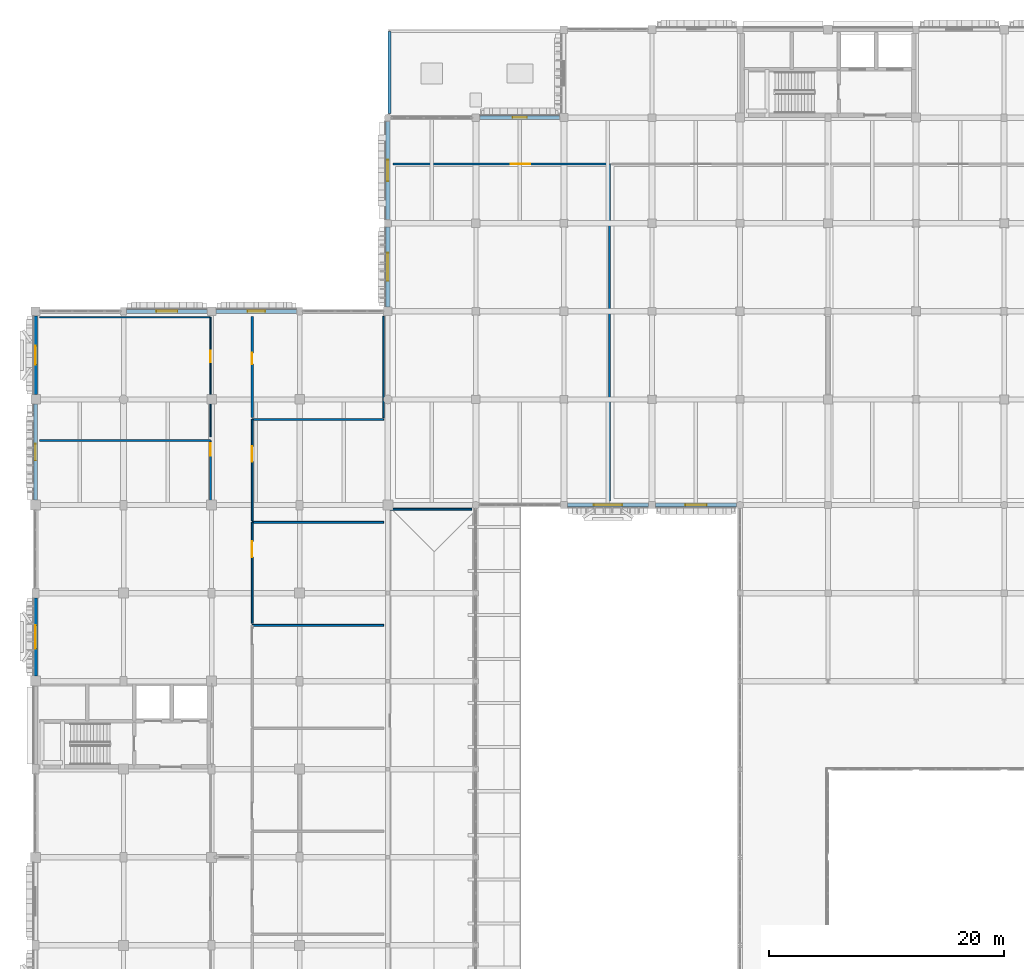
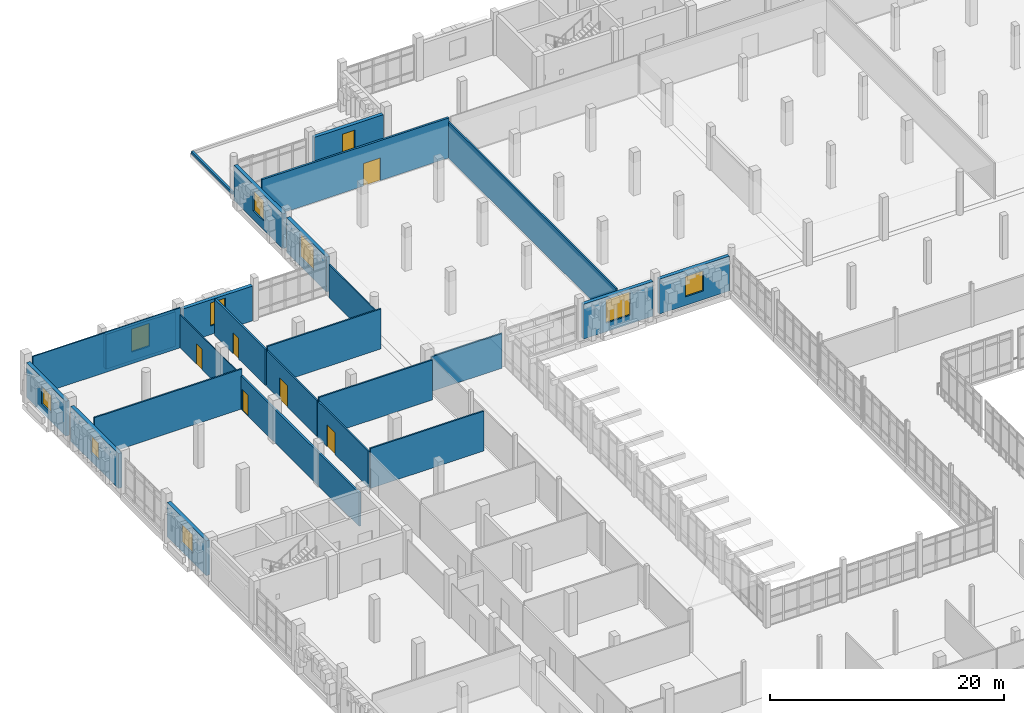
# One storey, part 100 of 128: 25 walls, 10 windows, 6 doors, 16 openings.
"""IFC4 building model written with IfcOpenShell, lengths in metres."""

from ifc_helpers import new_model, si_unit, direction, frame, frame_2d, origin, place, context, subcontext, project, spatial, rectangle, extrude, material, layer, layer_set, type_object, element, fill, save


model = new_model("IFC4")

# Units and contexts
model_context = context("Model", 3, precision=1e-05, world=origin(), true_north=direction((0.0, 1.0)))
body_context = subcontext(model_context, "Body", "Model", "MODEL_VIEW")
ifc_project = project(units=[si_unit("LENGTHUNIT", "METRE"), si_unit("AREAUNIT", "SQUARE_METRE"), si_unit("VOLUMEUNIT", "CUBIC_METRE"), si_unit("PLANEANGLEUNIT", "RADIAN"), si_unit("MASSUNIT", "GRAM", prefix="KILO")], contexts=[model_context])

# Site, building, storey
site_placement = place(None, origin())
site = spatial("IfcSite", under=ifc_project, at=site_placement, CompositionType="ELEMENT")
building_placement = place(site_placement, origin())
building = spatial("IfcBuilding", under=site, at=building_placement, Name="Dalvernix Boulevard General Hospital", CompositionType="ELEMENT")
storey_placement = place(building_placement, frame((0.0, 0.0, 4.800048828125)))
storey = spatial("IfcBuildingStorey", under=building, at=storey_placement, Name="L01", CompositionType="ELEMENT", Elevation=4.800048828125)

# Wall, opening, window
ifc_material_1 = material(Name="Pressed Catalan clay brick and insulated concrete cavity wall C35/45", Category="masonry")
ifc_layer_1 = layer(ifc_material_1, 0.35009765625)
ifc_layer_set_1 = layer_set([ifc_layer_1], Name="Pressed Catalan clay brick and insulated concrete cavity wall C35/45 (WAL-EW-01)")
wall_type_1 = type_object("IfcWallType", Name="WAL-EW-01", PredefinedType="STANDARD", material=ifc_layer_set_1)
wall_1_placement = place(storey_placement, frame((0.0, 61.93505859375, 0.0), z_axis=(0.0, 0.0, 1.0), x_axis=(0.0, 1.0, 0.0)))
wall_1 = element("IfcWall", 1, at=wall_1_placement, inside=storey, type_object=wall_type_1, Name="L01 Catalan brick external wall W 0-8", PredefinedType="STANDARD", context=body_context, shape_type="SweptSolid", body=[
    extrude(rectangle(XDim=6.655029296875, YDim=0.35009765625, at=frame_2d((3.32763671875, 0.0))), origin(), (0.0, 0.0, 1.0), 3.6298828125),
])
opening_1_placement = place(wall_1_placement, frame((2.327392578125, 0.0, 0.89990234375)))
opening_1 = element("IfcOpeningElement", 2, at=opening_1_placement, cuts=wall_1, Name="Opening WN-12", PredefinedType="OPENING", context=body_context, shape_type="SweptSolid", body=[
    extrude(rectangle(XDim=2.0, YDim=1.949951171875, at=frame_2d((1.0, 0.97509765625))), frame((0.0, 0.18505859375, 0.0), z_axis=(0.0, -1.0, 0.0), x_axis=(1.0, 0.0, 0.0)), (0.0, 0.0, 1.0), 0.3701171875),
])
ifc_material_2 = material(Name="Thermally broken aluminium frame with solar-control double glazing", Category="aluminium")
window_type_1 = type_object("IfcWindowType", Name="WIN-WN-12", PartitioningType="SINGLE_PANEL", PredefinedType="WINDOW", material=ifc_material_2)
window_1_placement = place(opening_1_placement, origin())
window_1 = element("IfcWindow", 3, at=window_1_placement, inside=storey, type_object=window_type_1, Name="L01 clinical window WN-12 W 0-8", OverallHeight=1.949951171875, OverallWidth=2.0, PartitioningType="SINGLE_PANEL", PredefinedType="WINDOW", context=body_context, shape_type="SweptSolid", body=[
    extrude(rectangle(XDim=2.0, YDim=1.949951171875, at=frame_2d((1.0, 0.97509765625))), frame((0.0, 0.030029296875, 0.0), z_axis=(0.0, -1.0, 0.0), x_axis=(1.0, 0.0, 0.0)), (0.0, 0.0, 1.0), 0.06005859375),
])
fill(opening_1, window_1)

wall_2_placement = place(storey_placement, frame((0.0, 76.93505859375, 0.0), z_axis=(0.0, 0.0, 1.0), x_axis=(0.0, 1.0, 0.0)))
wall_2 = element("IfcWall", 4, at=wall_2_placement, inside=storey, type_object=wall_type_1, Name="L01 Catalan brick external wall W 0-10", PredefinedType="STANDARD", context=body_context, shape_type="SweptSolid", body=[
    extrude(rectangle(XDim=8.155029296875, YDim=0.35009765625, at=frame_2d((4.07763671875, 0.0))), origin(), (0.0, 0.0, 1.0), 3.6298828125),
])
opening_2_placement = place(wall_2_placement, frame((3.37744140625, 0.0, 0.89990234375)))
opening_2 = element("IfcOpeningElement", 5, at=opening_2_placement, cuts=wall_2, Name="Opening WN-14", PredefinedType="OPENING", context=body_context, shape_type="SweptSolid", body=[
    extrude(rectangle(XDim=1.39990234375, YDim=1.800048828125, at=frame_2d((0.699951171875, 0.89990234375))), frame((0.0, 0.18505859375, 0.0), z_axis=(0.0, -1.0, 0.0), x_axis=(1.0, 0.0, 0.0)), (0.0, 0.0, 1.0), 0.3701171875),
])
window_type_2 = type_object("IfcWindowType", Name="WIN-WN-14", PartitioningType="SINGLE_PANEL", PredefinedType="WINDOW", material=ifc_material_2)
window_2_placement = place(opening_2_placement, origin())
window_2 = element("IfcWindow", 6, at=window_2_placement, inside=storey, type_object=window_type_2, Name="L01 clinical window WN-14 W 0-10", OverallHeight=1.800048828125, OverallWidth=1.39990234375, PartitioningType="SINGLE_PANEL", PredefinedType="WINDOW", context=body_context, shape_type="SweptSolid", body=[
    extrude(rectangle(XDim=1.39990234375, YDim=1.800048828125, at=frame_2d((0.699951171875, 0.89990234375))), frame((0.0, 0.030029296875, 0.0), z_axis=(0.0, -1.0, 0.0), x_axis=(1.0, 0.0, 0.0)), (0.0, 0.0, 1.0), 0.06005859375),
])
fill(opening_2, window_2)

wall_3_placement = place(storey_placement, frame((0.0, 85.909912109375, 0.0), z_axis=(0.0, 0.0, 1.0), x_axis=(0.0, 1.0, 0.0)))
wall_3 = element("IfcWall", 7, at=wall_3_placement, inside=storey, type_object=wall_type_1, Name="L01 Catalan brick external wall W 0-11", PredefinedType="STANDARD", context=body_context, shape_type="SweptSolid", body=[
    extrude(rectangle(XDim=6.705078125, YDim=0.35009765625, at=frame_2d((3.3525390625, 0.0))), origin(), (0.0, 0.0, 1.0), 3.6298828125),
])
opening_3_placement = place(wall_3_placement, frame((2.552490234375, 0.0, 0.89990234375)))
opening_3 = element("IfcOpeningElement", 8, at=opening_3_placement, cuts=wall_3, Name="Opening WN-15", PredefinedType="OPENING", context=body_context, shape_type="SweptSolid", body=[
    extrude(rectangle(XDim=1.60009765625, YDim=1.800048828125, at=frame_2d((0.800048828125, 0.89990234375))), frame((0.0, 0.18505859375, 0.0), z_axis=(0.0, -1.0, 0.0), x_axis=(1.0, 0.0, 0.0)), (0.0, 0.0, 1.0), 0.3701171875),
])
window_type_3 = type_object("IfcWindowType", Name="WIN-WN-15", PartitioningType="SINGLE_PANEL", PredefinedType="WINDOW", material=ifc_material_2)
window_3_placement = place(opening_3_placement, origin())
window_3 = element("IfcWindow", 9, at=window_3_placement, inside=storey, type_object=window_type_3, Name="L01 clinical window WN-15 W 0-11", OverallHeight=1.800048828125, OverallWidth=1.60009765625, PartitioningType="SINGLE_PANEL", PredefinedType="WINDOW", context=body_context, shape_type="SweptSolid", body=[
    extrude(rectangle(XDim=1.60009765625, YDim=1.800048828125, at=frame_2d((0.800048828125, 0.89990234375))), frame((0.0, 0.030029296875, 0.0), z_axis=(0.0, -1.0, 0.0), x_axis=(1.0, 0.0, 0.0)), (0.0, 0.0, 1.0), 0.06005859375),
])
fill(opening_3, window_3)

wall_4_placement = place(storey_placement, frame((7.760009765625, 93.0, 0.0), z_axis=(0.0, 0.0, 1.0), x_axis=(1.0, 0.0, 0.0)))
wall_4 = element("IfcWall", 10, at=wall_4_placement, inside=storey, type_object=wall_type_1, Name="L01 Catalan brick external wall N 1-12", PredefinedType="STANDARD", context=body_context, shape_type="SweptSolid", body=[
    extrude(rectangle(XDim=6.85498046875, YDim=0.35009765625, at=frame_2d((3.427490234375, 0.0))), origin(), (0.0, 0.0, 1.0), 3.6298828125),
])
opening_4_placement = place(wall_4_placement, frame((2.527587890625, 0.0, 0.89990234375)))
opening_4 = element("IfcOpeningElement", 11, at=opening_4_placement, cuts=wall_4, Name="Opening WN-01", PredefinedType="OPENING", context=body_context, shape_type="SweptSolid", body=[
    extrude(rectangle(XDim=1.800048828125, YDim=2.39990234375, at=frame_2d((0.89990234375, 1.199951171875))), frame((0.0, 0.18505859375, 0.0), z_axis=(0.0, -1.0, 0.0), x_axis=(1.0, 0.0, 0.0)), (0.0, 0.0, 1.0), 0.3701171875),
])
window_type_4 = type_object("IfcWindowType", Name="WIN-WN-01", PartitioningType="SINGLE_PANEL", PredefinedType="WINDOW", material=ifc_material_2)
window_4_placement = place(opening_4_placement, origin())
window_4 = element("IfcWindow", 12, at=window_4_placement, inside=storey, type_object=window_type_4, Name="L01 clinical window WN-01 N 1-12", OverallHeight=2.39990234375, OverallWidth=1.800048828125, PartitioningType="SINGLE_PANEL", PredefinedType="WINDOW", context=body_context, shape_type="SweptSolid", body=[
    extrude(rectangle(XDim=1.800048828125, YDim=2.39990234375, at=frame_2d((0.89990234375, 1.199951171875))), frame((0.0, 0.030029296875, 0.0), z_axis=(0.0, -1.0, 0.0), x_axis=(1.0, 0.0, 0.0)), (0.0, 0.0, 1.0), 0.06005859375),
])
fill(opening_4, window_4)

wall_5_placement = place(storey_placement, frame((15.385009765625, 93.0, 0.0), z_axis=(0.0, 0.0, 1.0), x_axis=(1.0, 0.0, 0.0)))
wall_5 = element("IfcWall", 13, at=wall_5_placement, inside=storey, type_object=wall_type_1, Name="L01 Catalan brick external wall N 2-12", PredefinedType="STANDARD", context=body_context, shape_type="SweptSolid", body=[
    extrude(rectangle(XDim=6.85498046875, YDim=0.35009765625, at=frame_2d((3.427490234375, 0.0))), origin(), (0.0, 0.0, 1.0), 3.6298828125),
])
opening_5_placement = place(wall_5_placement, frame((2.677490234375, 0.0, 0.89990234375)))
opening_5 = element("IfcOpeningElement", 14, at=opening_5_placement, cuts=wall_5, Name="Opening WN-02", PredefinedType="OPENING", context=body_context, shape_type="SweptSolid", body=[
    extrude(rectangle(XDim=1.5, YDim=2.39990234375, at=frame_2d((0.75, 1.199951171875))), frame((0.0, 0.18505859375, 0.0), z_axis=(0.0, -1.0, 0.0), x_axis=(1.0, 0.0, 0.0)), (0.0, 0.0, 1.0), 0.3701171875),
])
window_type_5 = type_object("IfcWindowType", Name="WIN-WN-02", PartitioningType="SINGLE_PANEL", PredefinedType="WINDOW", material=ifc_material_2)
window_5_placement = place(opening_5_placement, origin())
window_5 = element("IfcWindow", 15, at=window_5_placement, inside=storey, type_object=window_type_5, Name="L01 clinical window WN-02 N 2-12", OverallHeight=2.39990234375, OverallWidth=1.5, PartitioningType="SINGLE_PANEL", PredefinedType="WINDOW", context=body_context, shape_type="SweptSolid", body=[
    extrude(rectangle(XDim=1.5, YDim=2.39990234375, at=frame_2d((0.75, 1.199951171875))), frame((0.0, 0.030029296875, 0.0), z_axis=(0.0, -1.0, 0.0), x_axis=(1.0, 0.0, 0.0)), (0.0, 0.0, 1.0), 0.06005859375),
])
fill(opening_5, window_5)

wall_6_placement = place(storey_placement, frame((30.0, 93.385009765625, 0.0), z_axis=(0.0, 0.0, 1.0), x_axis=(0.0, 1.0, 0.0)))
wall_6 = element("IfcWall", 16, at=wall_6_placement, inside=storey, type_object=wall_type_1, Name="L01 Catalan brick external wall W 4-12", PredefinedType="STANDARD", context=body_context, shape_type="SweptSolid", body=[
    extrude(rectangle(XDim=6.804931640625, YDim=0.35009765625, at=frame_2d((3.40234375, 0.0))), origin(), (0.0, 0.0, 1.0), 3.6298828125),
])
opening_6_placement = place(wall_6_placement, frame((2.202392578125, 0.0, 0.89990234375)))
opening_6 = element("IfcOpeningElement", 17, at=opening_6_placement, cuts=wall_6, Name="Opening WN-04", PredefinedType="OPENING", context=body_context, shape_type="SweptSolid", body=[
    extrude(rectangle(XDim=2.39990234375, YDim=2.449951171875, at=frame_2d((1.199951171875, 1.22509765625))), frame((0.0, 0.18505859375, 0.0), z_axis=(0.0, -1.0, 0.0), x_axis=(1.0, 0.0, 0.0)), (0.0, 0.0, 1.0), 0.3701171875),
])
window_type_6 = type_object("IfcWindowType", Name="WIN-WN-04", PartitioningType="SINGLE_PANEL", PredefinedType="WINDOW", material=ifc_material_2)
window_6_placement = place(opening_6_placement, origin())
window_6 = element("IfcWindow", 18, at=window_6_placement, inside=storey, type_object=window_type_6, Name="L01 clinical window WN-04 W 4-12", OverallHeight=2.449951171875, OverallWidth=2.39990234375, PartitioningType="SINGLE_PANEL", PredefinedType="WINDOW", context=body_context, shape_type="SweptSolid", body=[
    extrude(rectangle(XDim=2.39990234375, YDim=2.449951171875, at=frame_2d((1.199951171875, 1.22509765625))), frame((0.0, 0.030029296875, 0.0), z_axis=(0.0, -1.0, 0.0), x_axis=(1.0, 0.0, 0.0)), (0.0, 0.0, 1.0), 0.06005859375),
])
fill(opening_6, window_6)

wall_7_placement = place(storey_placement, frame((30.0, 100.81005859375, 0.0), z_axis=(0.0, 0.0, 1.0), x_axis=(0.0, 1.0, 0.0)))
wall_7 = element("IfcWall", 19, at=wall_7_placement, inside=storey, type_object=wall_type_1, Name="L01 Catalan brick external wall W 4-13", PredefinedType="STANDARD", context=body_context, shape_type="SweptSolid", body=[
    extrude(rectangle(XDim=8.3798828125, YDim=0.35009765625, at=frame_2d((4.18994140625, 0.0))), origin(), (0.0, 0.0, 1.0), 3.6298828125),
])
opening_7_placement = place(wall_7_placement, frame((3.2900390625, 0.0, 0.89990234375)))
opening_7 = element("IfcOpeningElement", 20, at=opening_7_placement, cuts=wall_7, Name="Opening WN-05", PredefinedType="OPENING", context=body_context, shape_type="SweptSolid", body=[
    extrude(rectangle(XDim=1.800048828125, YDim=2.10009765625, at=frame_2d((0.89990234375, 1.050048828125))), frame((0.0, 0.18505859375, 0.0), z_axis=(0.0, -1.0, 0.0), x_axis=(1.0, 0.0, 0.0)), (0.0, 0.0, 1.0), 0.3701171875),
])
window_type_7 = type_object("IfcWindowType", Name="WIN-WN-05", PartitioningType="SINGLE_PANEL", PredefinedType="WINDOW", material=ifc_material_2)
window_7_placement = place(opening_7_placement, origin())
window_7 = element("IfcWindow", 21, at=window_7_placement, inside=storey, type_object=window_type_7, Name="L01 clinical window WN-05 W 4-13", OverallHeight=2.10009765625, OverallWidth=1.800048828125, PartitioningType="SINGLE_PANEL", PredefinedType="WINDOW", context=body_context, shape_type="SweptSolid", body=[
    extrude(rectangle(XDim=1.800048828125, YDim=2.10009765625, at=frame_2d((0.89990234375, 1.050048828125))), frame((0.0, 0.030029296875, 0.0), z_axis=(0.0, -1.0, 0.0), x_axis=(1.0, 0.0, 0.0)), (0.0, 0.0, 1.0), 0.06005859375),
])
fill(opening_7, window_7)

wall_8_placement = place(storey_placement, frame((37.8349609375, 109.5, 0.0), z_axis=(0.0, 0.0, 1.0), x_axis=(1.0, 0.0, 0.0)))
wall_8 = element("IfcWall", 22, at=wall_8_placement, inside=storey, type_object=wall_type_1, Name="L01 Catalan brick external wall N 5-14", PredefinedType="STANDARD", context=body_context, shape_type="SweptSolid", body=[
    extrude(rectangle(XDim=6.804931640625, YDim=0.35009765625, at=frame_2d((3.40234375, 0.0))), origin(), (0.0, 0.0, 1.0), 3.6298828125),
])
opening_8_placement = place(wall_8_placement, frame((2.802490234375, 0.0, 0.89990234375)))
opening_8 = element("IfcOpeningElement", 23, at=opening_8_placement, cuts=wall_8, Name="Opening WN-07", PredefinedType="OPENING", context=body_context, shape_type="SweptSolid", body=[
    extrude(rectangle(XDim=1.199951171875, YDim=2.10009765625, at=frame_2d((0.60009765625, 1.050048828125))), frame((0.0, 0.18505859375, 0.0), z_axis=(0.0, -1.0, 0.0), x_axis=(1.0, 0.0, 0.0)), (0.0, 0.0, 1.0), 0.3701171875),
])
window_type_8 = type_object("IfcWindowType", Name="WIN-WN-07", PartitioningType="SINGLE_PANEL", PredefinedType="WINDOW", material=ifc_material_2)
window_8_placement = place(opening_8_placement, origin())
window_8 = element("IfcWindow", 24, at=window_8_placement, inside=storey, type_object=window_type_8, Name="L01 clinical window WN-07 N 5-14", OverallHeight=2.10009765625, OverallWidth=1.199951171875, PartitioningType="SINGLE_PANEL", PredefinedType="WINDOW", context=body_context, shape_type="SweptSolid", body=[
    extrude(rectangle(XDim=1.199951171875, YDim=2.10009765625, at=frame_2d((0.60009765625, 1.050048828125))), frame((0.0, 0.030029296875, 0.0), z_axis=(0.0, -1.0, 0.0), x_axis=(1.0, 0.0, 0.0)), (0.0, 0.0, 1.0), 0.06005859375),
])
fill(opening_8, window_8)

wall_9_placement = place(storey_placement, frame((52.18994140625, 76.5, 0.0), z_axis=(0.0, 0.0, 1.0), x_axis=(-1.0, 0.0, 0.0)))
wall_9 = element("IfcWall", 25, at=wall_9_placement, inside=storey, type_object=wall_type_1, Name="L01 Catalan brick external wall S 6-10", PredefinedType="STANDARD", context=body_context, shape_type="SweptSolid", body=[
    extrude(rectangle(XDim=6.8798828125, YDim=0.35009765625, at=frame_2d((3.43994140625, 0.0))), origin(), (0.0, 0.0, 1.0), 3.6298828125),
])
opening_9_placement = place(wall_9_placement, frame((2.239990234375, 0.0, 0.89990234375)))
opening_9 = element("IfcOpeningElement", 26, at=opening_9_placement, cuts=wall_9, Name="Opening WN-04", PredefinedType="OPENING", context=body_context, shape_type="SweptSolid", body=[
    extrude(rectangle(XDim=2.39990234375, YDim=2.449951171875, at=frame_2d((1.199951171875, 1.22509765625))), frame((0.0, 0.18505859375, 0.0), z_axis=(0.0, -1.0, 0.0), x_axis=(1.0, 0.0, 0.0)), (0.0, 0.0, 1.0), 0.3701171875),
])
window_9_placement = place(opening_9_placement, origin())
window_9 = element("IfcWindow", 27, at=window_9_placement, inside=storey, type_object=window_type_6, Name="L01 clinical window WN-04 S 6-10", OverallHeight=2.449951171875, OverallWidth=2.39990234375, PartitioningType="SINGLE_PANEL", PredefinedType="WINDOW", context=body_context, shape_type="SweptSolid", body=[
    extrude(rectangle(XDim=2.39990234375, YDim=2.449951171875, at=frame_2d((1.199951171875, 1.22509765625))), frame((0.0, 0.030029296875, 0.0), z_axis=(0.0, -1.0, 0.0), x_axis=(1.0, 0.0, 0.0)), (0.0, 0.0, 1.0), 0.06005859375),
])
fill(opening_9, window_9)

wall_10_placement = place(storey_placement, frame((59.68994140625, 76.5, 0.0), z_axis=(0.0, 0.0, 1.0), x_axis=(-1.0, 0.0, 0.0)))
wall_10 = element("IfcWall", 28, at=wall_10_placement, inside=storey, type_object=wall_type_1, Name="L01 Catalan brick external wall S 7-10", PredefinedType="STANDARD", context=body_context, shape_type="SweptSolid", body=[
    extrude(rectangle(XDim=6.8798828125, YDim=0.35009765625, at=frame_2d((3.43994140625, 0.0))), origin(), (0.0, 0.0, 1.0), 3.6298828125),
])
opening_10_placement = place(wall_10_placement, frame((2.5400390625, 0.0, 0.89990234375)))
opening_10 = element("IfcOpeningElement", 29, at=opening_10_placement, cuts=wall_10, Name="Opening WN-05", PredefinedType="OPENING", context=body_context, shape_type="SweptSolid", body=[
    extrude(rectangle(XDim=1.800048828125, YDim=2.10009765625, at=frame_2d((0.89990234375, 1.050048828125))), frame((0.0, 0.18505859375, 0.0), z_axis=(0.0, -1.0, 0.0), x_axis=(1.0, 0.0, 0.0)), (0.0, 0.0, 1.0), 0.3701171875),
])
window_10_placement = place(opening_10_placement, origin())
window_10 = element("IfcWindow", 30, at=window_10_placement, inside=storey, type_object=window_type_7, Name="L01 clinical window WN-05 S 7-10", OverallHeight=2.10009765625, OverallWidth=1.800048828125, PartitioningType="SINGLE_PANEL", PredefinedType="WINDOW", context=body_context, shape_type="SweptSolid", body=[
    extrude(rectangle(XDim=1.800048828125, YDim=2.10009765625, at=frame_2d((0.89990234375, 1.050048828125))), frame((0.0, 0.030029296875, 0.0), z_axis=(0.0, -1.0, 0.0), x_axis=(1.0, 0.0, 0.0)), (0.0, 0.0, 1.0), 0.06005859375),
])
fill(opening_10, window_10)

# Wall, opening, door
ifc_material_3 = material(Name="Fire-compartment corridor masonry wall", Category="masonry")
ifc_layer_2 = layer(ifc_material_3, 0.199951171875)
ifc_layer_set_2 = layer_set([ifc_layer_2], Name="Fire-compartment corridor masonry wall (WAL-IW-02)")
wall_type_2 = type_object("IfcWallType", Name="WAL-IW-02", PredefinedType="STANDARD", material=ifc_layer_set_2)
wall_11_placement = place(storey_placement, frame((14.89990234375, 61.800048828125, 0.0), z_axis=(0.0, 0.0, 1.0), x_axis=(0.0, 1.0, 0.0)))
wall_11 = element("IfcWall", 31, at=wall_11_placement, inside=storey, type_object=wall_type_2, Name="L01 Physical Therapy and Rehabilitation Gym corridor wall", PredefinedType="STANDARD", context=body_context, shape_type="SweptSolid", body=[
    extrude(rectangle(XDim=20.199951171875, YDim=0.199951171875, at=frame_2d((10.10009765625, 0.0))), origin(), (0.0, 0.0, 1.0), 3.46484375),
])
opening_11_placement = place(wall_11_placement, frame((18.89990234375, 0.0, 0.0)))
opening_11 = element("IfcOpeningElement", 32, at=opening_11_placement, cuts=wall_11, Name="Opening ID-07", PredefinedType="OPENING", context=body_context, shape_type="SweptSolid", body=[
    extrude(rectangle(XDim=1.050048828125, YDim=2.199951171875, at=frame_2d((0.52490234375, 1.10009765625))), frame((0.0, 0.10986328125, 0.0), z_axis=(0.0, -1.0, 0.0), x_axis=(1.0, 0.0, 0.0)), (0.0, 0.0, 1.0), 0.219970703125),
])
ifc_material_4 = material(Name="Hospital laminate acoustic timber and steel frame", Category="steel")
door_type_1 = type_object("IfcDoorType", Name="DR-ID-07", OperationType="NOTDEFINED", PredefinedType="DOOR", material=ifc_material_4)
door_1_placement = place(opening_11_placement, origin())
door_1 = element("IfcDoor", 33, at=door_1_placement, inside=storey, type_object=door_type_1, Name="L01 Physical Therapy and Rehabilitation Gym door", OperationType="SINGLE_SWING_RIGHT", OverallHeight=2.199951171875, OverallWidth=1.050048828125, PredefinedType="DOOR", context=body_context, shape_type="SweptSolid", body=[
    extrude(rectangle(XDim=1.050048828125, YDim=2.199951171875, at=frame_2d((0.52490234375, 1.10009765625))), frame((0.0, 0.02490234375, 0.0), z_axis=(0.0, -1.0, 0.0), x_axis=(1.0, 0.0, 0.0)), (0.0, 0.0, 1.0), 0.050048828125),
])
fill(opening_11, door_1)

wall_12_placement = place(storey_placement, frame((18.449951171875, 92.570068359375, 0.0), z_axis=(0.0, 0.0, 1.0), x_axis=(0.0, -1.0, 0.0)))
wall_12 = element("IfcWall", 34, at=wall_12_placement, inside=storey, type_object=wall_type_2, Name="L01 Staff WC and Clean Utility L01 corridor wall", PredefinedType="STANDARD", context=body_context, shape_type="SweptSolid", body=[
    extrude(rectangle(XDim=8.6123046875, YDim=0.199951171875, at=frame_2d((4.30615234375, 0.0))), origin(), (0.0, 0.0, 1.0), 3.764892578125),
])
opening_12_placement = place(wall_12_placement, frame((3.114990234375, 0.0, 0.0)))
opening_12 = element("IfcOpeningElement", 35, at=opening_12_placement, cuts=wall_12, Name="Opening ID-06", PredefinedType="OPENING", context=body_context, shape_type="SweptSolid", body=[
    extrude(rectangle(XDim=0.949951171875, YDim=2.14990234375, at=frame_2d((0.47509765625, 1.074951171875))), frame((0.0, 0.10986328125, 0.0), z_axis=(0.0, -1.0, 0.0), x_axis=(1.0, 0.0, 0.0)), (0.0, 0.0, 1.0), 0.219970703125),
])
door_type_2 = type_object("IfcDoorType", Name="DR-ID-06", OperationType="NOTDEFINED", PredefinedType="DOOR", material=ifc_material_4)
door_2_placement = place(opening_12_placement, origin())
door_2 = element("IfcDoor", 36, at=door_2_placement, inside=storey, type_object=door_type_2, Name="L01 Staff WC and Clean Utility L01 door", OperationType="SINGLE_SWING_RIGHT", OverallHeight=2.14990234375, OverallWidth=0.949951171875, PredefinedType="DOOR", context=body_context, shape_type="SweptSolid", body=[
    extrude(rectangle(XDim=0.949951171875, YDim=2.14990234375, at=frame_2d((0.47509765625, 1.074951171875))), frame((0.0, 0.02490234375, 0.0), z_axis=(0.0, -1.0, 0.0), x_axis=(1.0, 0.0, 0.0)), (0.0, 0.0, 1.0), 0.050048828125),
])
fill(opening_12, door_2)

wall_13_placement = place(storey_placement, frame((48.88330078125, 105.550048828125, 0.0), z_axis=(0.0, 0.0, 1.0), x_axis=(-1.0, 0.0, 0.0)))
wall_13 = element("IfcWall", 37, at=wall_13_placement, inside=storey, type_object=wall_type_2, Name="L01 Blood Bank and Transfusion Laboratory corridor wall", PredefinedType="STANDARD", context=body_context, shape_type="SweptSolid", body=[
    extrude(rectangle(XDim=18.433349609375, YDim=0.199951171875, at=frame_2d((9.216796875, 0.0))), origin(), (0.0, 0.0, 1.0), 4.1650390625),
])
opening_13_placement = place(wall_13_placement, frame((6.76318359375, 0.0, 0.0)))
opening_13 = element("IfcOpeningElement", 38, at=opening_13_placement, cuts=wall_13, Name="Opening ID-12", PredefinedType="OPENING", context=body_context, shape_type="SweptSolid", body=[
    extrude(rectangle(XDim=1.64990234375, YDim=2.35009765625, at=frame_2d((0.824951171875, 1.175048828125))), frame((0.0, 0.10986328125, 0.0), z_axis=(0.0, -1.0, 0.0), x_axis=(1.0, 0.0, 0.0)), (0.0, 0.0, 1.0), 0.219970703125),
])
door_type_3 = type_object("IfcDoorType", Name="DR-ID-12", OperationType="DOUBLE_DOOR_SINGLE_SWING", PredefinedType="DOOR", material=ifc_material_4)
door_3_placement = place(opening_13_placement, origin())
door_3 = element("IfcDoor", 39, at=door_3_placement, inside=storey, type_object=door_type_3, Name="L01 Blood Bank and Transfusion Laboratory door", OperationType="DOUBLE_DOOR_SINGLE_SWING", OverallHeight=2.35009765625, OverallWidth=1.64990234375, PredefinedType="DOOR", context=body_context, shape_type="SweptSolid", body=[
    extrude(rectangle(XDim=1.64990234375, YDim=2.35009765625, at=frame_2d((0.824951171875, 1.175048828125))), frame((0.0, 0.02490234375, 0.0), z_axis=(0.0, -1.0, 0.0), x_axis=(1.0, 0.0, 0.0)), (0.0, 0.0, 1.0), 0.050048828125),
])
fill(opening_13, door_3)

ifc_material_5 = material(Name="Acoustic double-stud gypsum inpatient partition")
ifc_layer_3 = layer(ifc_material_5, 0.14990234375)
ifc_layer_set_3 = layer_set([ifc_layer_3], Name="Acoustic double-stud gypsum inpatient partition (WAL-IW-04)")
wall_type_3 = type_object("IfcWallType", Name="WAL-IW-04", PredefinedType="PARTITIONING", material=ifc_layer_set_3)
wall_14_placement = place(storey_placement, frame((18.449951171875, 75.025634765625, 0.0), z_axis=(0.0, 0.0, 1.0), x_axis=(0.0, -1.0, 0.0)))
wall_14 = element("IfcWall", 40, at=wall_14_placement, inside=storey, type_object=wall_type_3, Name="L01 Outpatient Consultation Clinic corridor wall", PredefinedType="PARTITIONING", context=body_context, shape_type="SweptSolid", body=[
    extrude(rectangle(XDim=8.6123046875, YDim=0.14990234375, at=frame_2d((4.30615234375, 0.0))), origin(), (0.0, 0.0, 1.0), 3.764892578125),
])
opening_14_placement = place(wall_14_placement, frame((1.6025390625, 0.0, 0.0)))
opening_14 = element("IfcOpeningElement", 41, at=opening_14_placement, cuts=wall_14, Name="Opening ID-01", PredefinedType="OPENING", context=body_context, shape_type="SweptSolid", body=[
    extrude(rectangle(XDim=1.35009765625, YDim=2.25, at=frame_2d((0.675048828125, 1.125))), frame((0.0, 0.0849609375, 0.0), z_axis=(0.0, -1.0, 0.0), x_axis=(1.0, 0.0, 0.0)), (0.0, 0.0, 1.0), 0.169921875),
])
door_type_4 = type_object("IfcDoorType", Name="DR-ID-01", OperationType="NOTDEFINED", PredefinedType="DOOR", material=ifc_material_4)
door_4_placement = place(opening_14_placement, origin())
door_4 = element("IfcDoor", 42, at=door_4_placement, inside=storey, type_object=door_type_4, Name="L01 Outpatient Consultation Clinic door", OperationType="SINGLE_SWING_RIGHT", OverallHeight=2.25, OverallWidth=1.35009765625, PredefinedType="DOOR", context=body_context, shape_type="SweptSolid", body=[
    extrude(rectangle(XDim=1.35009765625, YDim=2.25, at=frame_2d((0.675048828125, 1.125))), frame((0.0, 0.02490234375, 0.0), z_axis=(0.0, -1.0, 0.0), x_axis=(1.0, 0.0, 0.0)), (0.0, 0.0, 1.0), 0.050048828125),
])
fill(opening_14, door_4)

wall_15_placement = place(storey_placement, frame((18.449951171875, 83.7978515625, 0.0), z_axis=(0.0, 0.0, 1.0), x_axis=(0.0, -1.0, 0.0)))
wall_15 = element("IfcWall", 43, at=wall_15_placement, inside=storey, type_object=wall_type_3, Name="L01 Outpatient Consultation Clinic corridor wall", PredefinedType="PARTITIONING", context=body_context, shape_type="SweptSolid", body=[
    extrude(rectangle(XDim=8.6123046875, YDim=0.14990234375, at=frame_2d((4.30615234375, 0.0))), origin(), (0.0, 0.0, 1.0), 3.764892578125),
])
opening_15_placement = place(wall_15_placement, frame((2.27880859375, 0.0, 0.0)))
opening_15 = element("IfcOpeningElement", 44, at=opening_15_placement, cuts=wall_15, Name="Opening ID-01", PredefinedType="OPENING", context=body_context, shape_type="SweptSolid", body=[
    extrude(rectangle(XDim=1.35009765625, YDim=2.25, at=frame_2d((0.675048828125, 1.125))), frame((0.0, 0.0849609375, 0.0), z_axis=(0.0, -1.0, 0.0), x_axis=(1.0, 0.0, 0.0)), (0.0, 0.0, 1.0), 0.169921875),
])
door_5_placement = place(opening_15_placement, origin())
door_5 = element("IfcDoor", 45, at=door_5_placement, inside=storey, type_object=door_type_4, Name="L01 Outpatient Consultation Clinic door", OperationType="SINGLE_SWING_LEFT", OverallHeight=2.25, OverallWidth=1.35009765625, PredefinedType="DOOR", context=body_context, shape_type="SweptSolid", body=[
    extrude(rectangle(XDim=1.35009765625, YDim=2.25, at=frame_2d((0.675048828125, 1.125))), frame((0.0, 0.02490234375, 0.0), z_axis=(0.0, -1.0, 0.0), x_axis=(1.0, 0.0, 0.0)), (0.0, 0.0, 1.0), 0.050048828125),
])
fill(opening_15, door_5)

# Walls
wall_16_placement = place(storey_placement, frame((0.35009765625, 82.0, 0.0), z_axis=(0.0, 0.0, 1.0), x_axis=(1.0, 0.0, 0.0)))
element("IfcWall", 46, at=wall_16_placement, inside=storey, type_object=wall_type_3, Name="L01 Physical Therapy and Rehabilitation Gym partition", PredefinedType="PARTITIONING", context=body_context, shape_type="SweptSolid", body=[
    extrude(rectangle(XDim=14.5498046875, YDim=0.14990234375, at=frame_2d((7.27490234375, 0.0))), origin(), (0.0, 0.0, 1.0), 4.1650390625),
])
for number, where, z_axis, x_axis, name in (
    (47, (18.449951171875, 66.25341796875, 0.0), (0.0, 0.0, 1.0), (1.0, 0.0, 0.0), "L01 Outpatient Consultation Clinic partition"),
    (48, (18.449951171875, 75.025634765625, 0.0), (0.0, 0.0, 1.0), (1.0, 0.0, 0.0), "L01 Outpatient Consultation Clinic partition"),
    (49, (18.449951171875, 83.7978515625, 0.0), (0.0, 0.0, 1.0), (1.0, 0.0, 0.0), "L01 Outpatient Consultation Clinic partition"),
):
    element("IfcWall", number, at=place(storey_placement, frame(where, z_axis=z_axis, x_axis=x_axis)), inside=storey, type_object=wall_type_3, Name=name, PredefinedType="PARTITIONING", context=body_context, shape_type="SweptSolid", body=[
        extrude(rectangle(XDim=11.199951171875, YDim=0.14990234375, at=frame_2d((5.60009765625, 0.0))), origin(), (0.0, 0.0, 1.0), 4.1650390625),
    ])
wall_17_placement = place(storey_placement, frame((30.199951171875, 76.14990234375, 0.0), z_axis=(0.0, 0.0, 1.0), x_axis=(1.0, 0.0, 0.0)))
element("IfcWall", 50, at=wall_17_placement, inside=storey, type_object=wall_type_3, Name="L01 L01 West Cloister Colonnade Loggia partition", PredefinedType="PARTITIONING", context=body_context, shape_type="SweptSolid", body=[
    extrude(rectangle(XDim=6.949951171875, YDim=0.14990234375, at=frame_2d((3.47509765625, 0.0))), origin(), (0.0, 0.0, 1.0), 3.614990234375),
])
wall_18_placement = place(storey_placement, frame((48.88330078125, 76.85009765625, 0.0), z_axis=(0.0, 0.0, 1.0), x_axis=(0.0, 1.0, 0.0)))
element("IfcWall", 51, at=wall_18_placement, inside=storey, type_object=wall_type_3, Name="L01 Blood Bank and Transfusion Laboratory partition", PredefinedType="PARTITIONING", context=body_context, shape_type="SweptSolid", body=[
    extrude(rectangle(XDim=28.699951171875, YDim=0.14990234375, at=frame_2d((14.35009765625, 0.0))), origin(), (0.0, 0.0, 1.0), 3.764892578125),
])
ifc_material_6 = material(Name="Moisture-resistant en-suite bathroom partition")
ifc_layer_4 = layer(ifc_material_6, 0.1201171875)
ifc_layer_set_4 = layer_set([ifc_layer_4], Name="Moisture-resistant en-suite bathroom partition (WAL-IW-05)")
wall_type_4 = type_object("IfcWallType", Name="WAL-IW-05", PredefinedType="PARTITIONING", material=ifc_layer_set_4)
wall_19_placement = place(storey_placement, frame((0.35009765625, 92.5, 0.0), z_axis=(0.0, 0.0, 1.0), x_axis=(1.0, 0.0, 0.0)))
element("IfcWall", 52, at=wall_19_placement, inside=storey, type_object=wall_type_4, Name="L01 Accessible Changing and WC Suite L01 enclosure wall N", PredefinedType="PARTITIONING", context=body_context, shape_type="SweptSolid", body=[
    extrude(rectangle(XDim=14.5498046875, YDim=0.1201171875, at=frame_2d((7.27490234375, 0.0))), origin(), (0.0, 0.0, 1.0), 4.1650390625),
])
wall_20_placement = place(storey_placement, frame((29.64990234375, 83.957763671875, 0.0), z_axis=(0.0, 0.0, 1.0), x_axis=(0.0, 1.0, 0.0)))
element("IfcWall", 53, at=wall_20_placement, inside=storey, type_object=wall_type_4, Name="L01 Staff WC and Clean Utility L01 enclosure wall E", PredefinedType="PARTITIONING", context=body_context, shape_type="SweptSolid", body=[
    extrude(rectangle(XDim=8.6123046875, YDim=0.1201171875, at=frame_2d((4.30615234375, 0.0))), origin(), (0.0, 0.0, 1.0), 3.46484375),
])

# Wall, opening, door
ifc_material_7 = material(Name="Fire-resisting clinical sub-partition")
ifc_layer_5 = layer(ifc_material_7, 0.10009765625)
ifc_layer_set_5 = layer_set([ifc_layer_5], Name="Fire-resisting clinical sub-partition (WAL-IW-06)")
wall_type_5 = type_object("IfcWallType", Name="WAL-IW-06", PredefinedType="PARTITIONING", material=ifc_layer_set_5)
wall_21_placement = place(storey_placement, frame((14.89990234375, 82.300048828125, 0.0), z_axis=(0.0, 0.0, 1.0), x_axis=(0.0, 1.0, 0.0)))
wall_21 = element("IfcWall", 54, at=wall_21_placement, inside=storey, type_object=wall_type_5, Name="L01 Accessible Changing and WC Suite L01 corridor wall", PredefinedType="PARTITIONING", context=body_context, shape_type="SweptSolid", body=[
    extrude(rectangle(XDim=10.199951171875, YDim=0.10009765625, at=frame_2d((5.10009765625, 0.0))), origin(), (0.0, 0.0, 1.0), 3.46484375),
])
opening_16_placement = place(wall_21_placement, frame((6.375, 0.0, 0.0)))
opening_16 = element("IfcOpeningElement", 55, at=opening_16_placement, cuts=wall_21, Name="Opening ID-06", PredefinedType="OPENING", context=body_context, shape_type="SweptSolid", body=[
    extrude(rectangle(XDim=0.949951171875, YDim=2.14990234375, at=frame_2d((0.47509765625, 1.074951171875))), frame((0.0, 0.06005859375, 0.0), z_axis=(0.0, -1.0, 0.0), x_axis=(1.0, 0.0, 0.0)), (0.0, 0.0, 1.0), 0.1201171875),
])
door_6_placement = place(opening_16_placement, origin())
door_6 = element("IfcDoor", 56, at=door_6_placement, inside=storey, type_object=door_type_2, Name="L01 Accessible Changing and WC Suite L01 door", OperationType="SINGLE_SWING_LEFT", OverallHeight=2.14990234375, OverallWidth=0.949951171875, PredefinedType="DOOR", context=body_context, shape_type="SweptSolid", body=[
    extrude(rectangle(XDim=0.949951171875, YDim=2.14990234375, at=frame_2d((0.47509765625, 1.074951171875))), frame((0.0, 0.02490234375, 0.0), z_axis=(0.0, -1.0, 0.0), x_axis=(1.0, 0.0, 0.0)), (0.0, 0.0, 1.0), 0.050048828125),
])
fill(opening_16, door_6)

# Wall
ifc_material_8 = material(Name="Insulated precast concrete parapet C40/50", Category="concrete")
ifc_layer_6 = layer(ifc_material_8, 0.219970703125)
ifc_layer_set_6 = layer_set([ifc_layer_6], Name="Insulated precast concrete parapet C40/50 (WAL-PW-01)")
wall_type_6 = type_object("IfcWallType", Name="WAL-PW-01", PredefinedType="PARAPET", material=ifc_layer_set_6)
wall_22_placement = place(storey_placement, frame((30.14990234375, 109.85009765625, 0.079833984375), z_axis=(0.0, 0.0, 1.0), x_axis=(0.0, 1.0, 0.0)))
element("IfcWall", 57, at=wall_22_placement, inside=storey, type_object=wall_type_6, Name="L01 roof parapet wall V3NW-2", PredefinedType="PARAPET", context=body_context, shape_type="SweptSolid", body=[
    extrude(rectangle(XDim=7.0, YDim=0.219970703125, at=frame_2d((3.5, 0.0))), origin(), (0.0, 0.0, 1.0), 0.280029296875),
])

save(model, "model.ifc")
